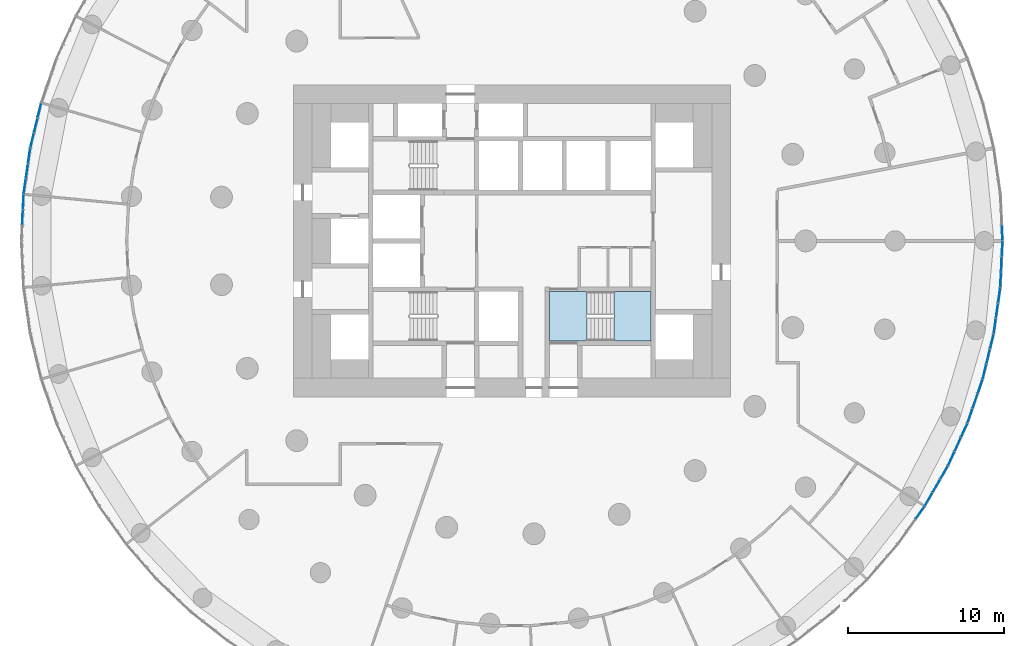
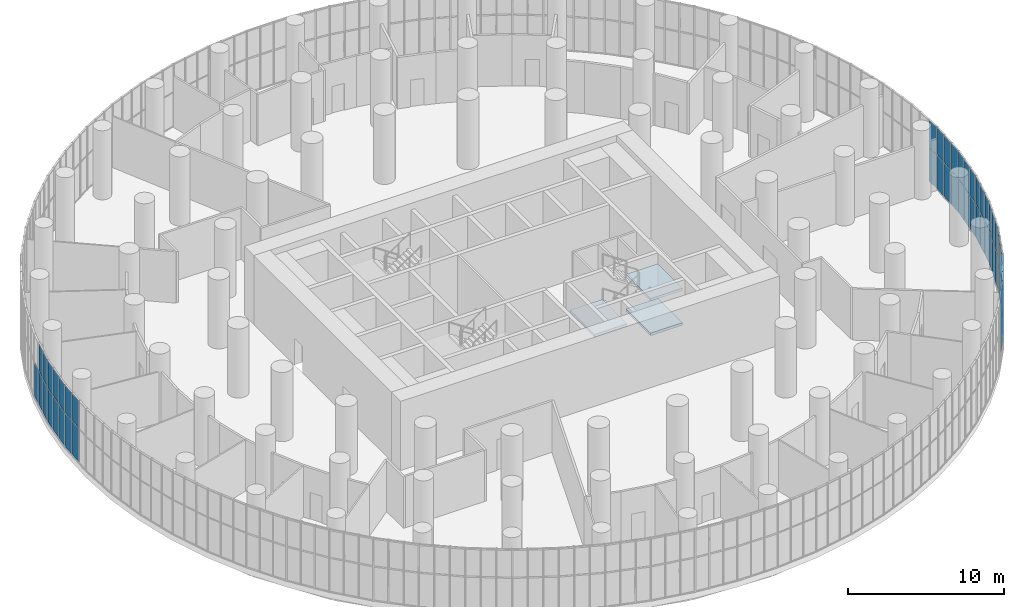
# One storey, part 16 of 27: 55 plates, 3 slabs, 12 elements without a shape of their own.
"""IFC4 building model written with IfcOpenShell, lengths in metres."""

import ifcopenshell
import ifcopenshell.guid

model = None  # the IFC model being written
_history = None  # IfcOwnerHistory: only IFC2X3 demands one
_inside = {}  # id of a spatial element -> (the spatial element, [elements in it])
_under = {}  # id of a project, library or spatial element -> (it, [spatial elements below it])
_declared = {}  # id of a project -> (the project, [libraries it declares])
_typed = {}  # id of a type object -> (the type object, [elements of that type])
_made_of = {}  # id of a material, layer set ... -> (it, [elements and type objects made of it])


def new_model(schema):
    """Start an empty IFC model of exactly this schema.

    Asked for "IFC4X3", IfcOpenShell would pick the latest addendum, in which some entities
    have other attributes; the version numbers below select the first issue.
    IFC2X3 requires an IfcOwnerHistory on every rooted entity: one is made here for all.
    """
    global model, _history
    if schema == "IFC4X3":
        model = ifcopenshell.file(schema_version=(4, 3, 0, 0))
    else:
        model = ifcopenshell.file(schema=schema)
    _inside.clear()
    _under.clear()
    _declared.clear()
    _typed.clear()
    _made_of.clear()
    _history = None
    if model.schema == "IFC2X3":
        org = make("IfcOrganization", Name="unknown")
        user = make(
            "IfcPersonAndOrganization",
            ThePerson=make("IfcPerson", FamilyName="unknown"),
            TheOrganization=org,
        )
        app = make(
            "IfcApplication",
            ApplicationDeveloper=org,
            Version="unknown",
            ApplicationFullName="unknown",
            ApplicationIdentifier="unknown",
        )
        _history = make(
            "IfcOwnerHistory",
            OwningUser=user,
            OwningApplication=app,
            ChangeAction="ADDED",
            CreationDate=0,
        )
    return model


def make(cls, **values):
    """One entity of the class cls with the attributes given. An attribute that is None is left unset."""
    return model.create_entity(
        cls, **{name: value for name, value in values.items() if value is not None}
    )


def rooted(cls, **values):
    """An entity with a GlobalId (a new one), such as an element, a storey or a relation."""
    return make(cls, GlobalId=ifcopenshell.guid.new(), OwnerHistory=_history, **values)


def si_unit(unit_type, name, prefix=None):
    """IfcSIUnit, for example si_unit("LENGTHUNIT", "METRE", prefix="MILLI")."""
    return make("IfcSIUnit", UnitType=unit_type, Prefix=prefix, Name=name)


def assignment(units):
    """IfcUnitAssignment: the units of a project."""
    return None if units is None else make("IfcUnitAssignment", Units=units)


def point(xyz):
    """IfcCartesianPoint."""
    return None if xyz is None else make("IfcCartesianPoint", Coordinates=xyz)


def direction(xyz):
    """IfcDirection."""
    return None if xyz is None else make("IfcDirection", DirectionRatios=xyz)


def frame(location, z_axis=None, x_axis=None):
    """IfcAxis2Placement3D, a coordinate frame: its origin and axes. An axis left out is left unset."""
    return make(
        "IfcAxis2Placement3D",
        Location=point(location),
        Axis=direction(z_axis),
        RefDirection=direction(x_axis),
    )


def frame_2d(location, x_axis=None):
    """IfcAxis2Placement2D, a coordinate frame in the plane: its origin and x axis."""
    return make(
        "IfcAxis2Placement2D", Location=point(location), RefDirection=direction(x_axis)
    )


def origin():
    """The frame at (0, 0, 0) with its axes left unset."""
    return frame((0.0, 0.0, 0.0))


def origin_2d():
    """The frame at (0, 0) in the plane with its x axis left unset."""
    return frame_2d((0.0, 0.0))


def place(relative_to, where):
    """IfcLocalPlacement: puts the frame where relative to a parent placement (None: the world)."""
    return make(
        "IfcLocalPlacement", PlacementRelTo=relative_to, RelativePlacement=where
    )


def context(
    kind, dimensions, precision=None, world=None, true_north=None, identifier=None
):
    """IfcGeometricRepresentationContext, for example the 3D "Model" context."""
    return make(
        "IfcGeometricRepresentationContext",
        ContextIdentifier=identifier,
        ContextType=kind,
        CoordinateSpaceDimension=dimensions,
        Precision=precision,
        WorldCoordinateSystem=world,
        TrueNorth=true_north,
    )


def subcontext(parent, identifier, kind, view, scale=None):
    """IfcGeometricRepresentationSubContext, for example "Body" below "Model"."""
    return make(
        "IfcGeometricRepresentationSubContext",
        ContextIdentifier=identifier,
        ContextType=kind,
        ParentContext=parent,
        TargetScale=scale,
        TargetView=view,
    )


def project(units=None, contexts=None):
    """IfcProject with its units and contexts."""
    return rooted(
        "IfcProject",
        Name="project",
        RepresentationContexts=contexts,
        UnitsInContext=assignment(units),
    )


def spatial(cls, under=None, at=None, **own):
    """A site, building, storey or space (cls), placed at a placement, below another one or the project."""
    s = rooted(cls, ObjectPlacement=at, **own)
    if under is not None:
        _under.setdefault(under.id(), (under, []))[1].append(s)
    return s


def polyline(points):
    """IfcPolyline through the points."""
    return make("IfcPolyline", Points=[point(p) for p in points])


def profile(cls, at=None, kind="AREA", **sizes):
    """A parametric profile (cls). Its sizes go by their IFC names, for example OverallWidth=200.0."""
    return make(cls, ProfileType=kind, Position=at, **sizes)


def rectangle(**sizes):
    """IfcRectangleProfileDef."""
    return profile("IfcRectangleProfileDef", **sizes)


def outline(outer, holes=None, kind="AREA"):
    """IfcArbitraryClosedProfileDef: a profile drawn as a closed curve; with holes, ...WithVoids."""
    if holes is None:
        return make("IfcArbitraryClosedProfileDef", ProfileType=kind, OuterCurve=outer)
    return make(
        "IfcArbitraryProfileDefWithVoids",
        ProfileType=kind,
        OuterCurve=outer,
        InnerCurves=holes,
    )


def extrude(swept, where, along, depth):
    """IfcExtrudedAreaSolid: the profile swept, set in the frame where, extruded along a direction by depth."""
    return make(
        "IfcExtrudedAreaSolid",
        SweptArea=swept,
        Position=where,
        ExtrudedDirection=direction(along),
        Depth=depth,
    )


def shape(context_of_items, identifier, shape_type, items):
    """IfcShapeRepresentation: the items that make up one representation, for example the "Body"."""
    return make(
        "IfcShapeRepresentation",
        ContextOfItems=context_of_items,
        RepresentationIdentifier=identifier,
        RepresentationType=shape_type,
        Items=items,
    )


def material(Name=None, Category=None):
    """IfcMaterial."""
    return make("IfcMaterial", Name=Name, Category=Category)


def layer(
    of_material, thickness, ventilated=None, Name=None, Category=None, Priority=None
):
    """IfcMaterialLayer: one layer of a wall or slab, of a material (None: an air gap)."""
    return make(
        "IfcMaterialLayer",
        Material=of_material,
        LayerThickness=thickness,
        IsVentilated=ventilated,
        Name=Name,
        Category=Category,
        Priority=Priority,
    )


def layer_set(layers, Name=None):
    """IfcMaterialLayerSet."""
    return make("IfcMaterialLayerSet", MaterialLayers=layers, LayerSetName=Name)


def made_of(thing, what):
    """Note that an element or type object is made of a material, layer set ...; save() writes the relation."""
    if what is not None:
        _made_of.setdefault(what.id(), (what, []))[1].append(thing)
    return thing


def type_object(cls, material=None, **own):
    """A type object (cls), such as IfcWallType, which elements share."""
    return made_of(rooted(cls, **own), material)


def element(
    cls,
    number,
    at=None,
    inside=None,
    cuts=None,
    type_object=None,
    material=None,
    context=None,
    identifier="Body",
    shape_type=None,
    held_by="IfcProductDefinitionShape",
    body=None,
    shapes=None,
    **own,
):
    """One element of the class cls, such as IfcWall. Its Tag is "e" and its number.

    at: its placement. inside: the storey or other place that contains it. cuts: it is an
    opening in that element (IfcRelVoidsElement). A single representation is given by context,
    identifier, shape_type and body (its items); several are given by shapes. held_by: the class
    of the entity that holds the representations. save() writes the other relations.
    """
    e = rooted(cls, Tag="e%d" % number, ObjectPlacement=at, **own)
    if body is not None:
        shapes = [shape(context, identifier, shape_type, body)]
    if shapes is not None:
        e.Representation = make(held_by, Representations=shapes)
    if inside is not None:
        _inside.setdefault(inside.id(), (inside, []))[1].append(e)
    if cuts is not None:
        rooted(
            "IfcRelVoidsElement", RelatingBuildingElement=cuts, RelatedOpeningElement=e
        )
    if type_object is not None:
        _typed.setdefault(type_object.id(), (type_object, []))[1].append(e)
    return made_of(e, material)


def aggregate(whole, parts):
    """IfcRelAggregates: a whole, such as a stair, and the parts it consists of."""
    return rooted("IfcRelAggregates", RelatingObject=whole, RelatedObjects=parts)


def save(model, path):
    """Write the relations noted so far, then the file.

    IfcRelAggregates (storeys below a building ...), IfcRelContainedInSpatialStructure (elements
    in a storey), IfcRelDefinesByType, IfcRelAssociatesMaterial and IfcRelDeclares: one each for
    every whole, place, type object, material and project.
    """
    for whole, parts in _under.values():
        aggregate(whole, parts)
    for where, things in _inside.values():
        rooted(
            "IfcRelContainedInSpatialStructure",
            RelatedElements=things,
            RelatingStructure=where,
        )
    for kind, things in _typed.values():
        rooted("IfcRelDefinesByType", RelatedObjects=things, RelatingType=kind)
    for what, things in _made_of.values():
        rooted("IfcRelAssociatesMaterial", RelatedObjects=things, RelatingMaterial=what)
    for by, libraries in _declared.values():
        rooted("IfcRelDeclares", RelatingContext=by, RelatedDefinitions=libraries)
    model.write(path)


model = new_model("IFC4")

# Units and contexts
model_context = context("Model", 3, precision=1e-05, world=origin(), true_north=direction((0.0, 1.0)))
body_context = subcontext(model_context, "Body", "Model", "MODEL_VIEW")
ifc_project = project(units=[si_unit("LENGTHUNIT", "METRE"), si_unit("AREAUNIT", "SQUARE_METRE"), si_unit("VOLUMEUNIT", "CUBIC_METRE"), si_unit("PLANEANGLEUNIT", "RADIAN"), si_unit("MASSUNIT", "GRAM", prefix="KILO")], contexts=[model_context])

# Site, building, storey
site_placement = place(None, origin())
site = spatial("IfcSite", under=ifc_project, at=site_placement, CompositionType="ELEMENT")
building_placement = place(site_placement, origin())
building = spatial("IfcBuilding", under=site, at=building_placement, Name="Tracery Tower", CompositionType="ELEMENT")
storey_placement = place(building_placement, frame((0.0, 0.0, 114.60009765625)))
storey = spatial("IfcBuildingStorey", under=building, at=storey_placement, Name="L29", CompositionType="ELEMENT", Elevation=114.60009765625)

# Curtain wall, plates
ifc_material_1 = material(Name="Aluminium curtain wall with tinted glass", Category="aluminium")
ifc_layer_1 = layer(ifc_material_1, 0.179931640625)
ifc_layer_set_1 = layer_set([ifc_layer_1], Name="Sky lounge 1 tracery curtain wall")
curtain_wall_type = type_object("IfcCurtainWallType", Name="Sky lounge 1 tracery curtain wall", PredefinedType="NOTDEFINED", material=ifc_layer_set_1)
curtain_wall_1_placement = place(storey_placement, origin())
curtain_wall_1 = element("IfcCurtainWall", 1, at=curtain_wall_1_placement, inside=storey, type_object=curtain_wall_type, Name="Sky lounge 1 curtain wall run 1", PredefinedType="NOTDEFINED")
ifc_material_2 = material(Name="Tinted laminated glass", Category="glass")
ifc_layer_2 = layer(ifc_material_2, 0.031982421875)
ifc_layer_set_2 = layer_set([ifc_layer_2], Name="Sky lounge 1 glass panel 32")
plate_type = type_object("IfcPlateType", Name="Sky lounge 1 glass panel 32", PredefinedType="CURTAIN_PANEL", material=ifc_layer_set_2)
plate_1_placement = place(storey_placement, frame((31.410888671875, 0.498046875, 0.06005859375), z_axis=(0.0, 0.0, 1.0), x_axis=(-0.047581915819, 0.998867339183, 0.0)))
plate_1 = element("IfcPlate", 2, at=plate_1_placement, type_object=plate_type, Name="Sky lounge 1 curtain wall run 1 glass panel 1", PredefinedType="CURTAIN_PANEL", context=body_context, shape_type="SweptSolid", body=[
    extrude(rectangle(XDim=0.937255859375, YDim=0.031982421875, at=origin_2d()), origin(), (0.0, 0.0, 1.0), 2.610107421875),
])
plate_2_placement = place(storey_placement, frame((31.410888671875, 0.498046875, 2.72998046875), z_axis=(0.0, 0.0, 1.0), x_axis=(-0.047581915819, 0.998867339183, 0.0)))
plate_2 = element("IfcPlate", 3, at=plate_2_placement, type_object=plate_type, Name="Sky lounge 1 curtain wall run 1 glass panel 2", PredefinedType="CURTAIN_PANEL", context=body_context, shape_type="SweptSolid", body=[
    extrude(rectangle(XDim=0.937255859375, YDim=0.031982421875, at=origin_2d()), origin(), (0.0, 0.0, 1.0), 2.110107421875),
])
aggregate(curtain_wall_1, [plate_1, plate_2])

curtain_wall_2_placement = place(storey_placement, origin())
curtain_wall_2 = element("IfcCurtainWall", 4, at=curtain_wall_2_placement, inside=storey, type_object=curtain_wall_type, Name="Sky lounge 1 curtain wall run 31", PredefinedType="NOTDEFINED")
plate_3_placement = place(storey_placement, frame((-30.27880859375, 8.37158203125, 0.06005859375), z_axis=(0.0, 0.0, 1.0), x_axis=(-0.235758935503, -0.971811568325, 0.0)))
plate_3 = element("IfcPlate", 5, at=plate_3_placement, type_object=plate_type, Name="Sky lounge 1 curtain wall run 31 glass panel 1", PredefinedType="CURTAIN_PANEL", context=body_context, shape_type="SweptSolid", body=[
    extrude(rectangle(XDim=0.937255859375, YDim=0.031982421875, at=origin_2d()), origin(), (0.0, 0.0, 1.0), 2.610107421875),
])
plate_4_placement = place(storey_placement, frame((-30.513916015625, 7.402587890625, 0.06005859375), z_axis=(0.0, 0.0, 1.0), x_axis=(-0.235758935503, -0.971811568325, 0.0)))
plate_4 = element("IfcPlate", 6, at=plate_4_placement, type_object=plate_type, Name="Sky lounge 1 curtain wall run 31 glass panel 3", PredefinedType="CURTAIN_PANEL", context=body_context, shape_type="SweptSolid", body=[
    extrude(rectangle(XDim=0.937255859375, YDim=0.031982421875, at=origin_2d()), origin(), (0.0, 0.0, 1.0), 2.610107421875),
])
plate_5_placement = place(storey_placement, frame((-30.513916015625, 7.402587890625, 2.72998046875), z_axis=(0.0, 0.0, 1.0), x_axis=(-0.235758935503, -0.971811568325, 0.0)))
plate_5 = element("IfcPlate", 7, at=plate_5_placement, type_object=plate_type, Name="Sky lounge 1 curtain wall run 31 glass panel 4", PredefinedType="CURTAIN_PANEL", context=body_context, shape_type="SweptSolid", body=[
    extrude(rectangle(XDim=0.937255859375, YDim=0.031982421875, at=origin_2d()), origin(), (0.0, 0.0, 1.0), 2.110107421875),
])
plate_6_placement = place(storey_placement, frame((-30.748779296875, 6.43359375, 0.06005859375), z_axis=(0.0, 0.0, 1.0), x_axis=(-0.235758935503, -0.971811568325, 0.0)))
plate_6 = element("IfcPlate", 8, at=plate_6_placement, type_object=plate_type, Name="Sky lounge 1 curtain wall run 31 glass panel 5", PredefinedType="CURTAIN_PANEL", context=body_context, shape_type="SweptSolid", body=[
    extrude(rectangle(XDim=0.937255859375, YDim=0.031982421875, at=origin_2d()), origin(), (0.0, 0.0, 1.0), 2.610107421875),
])
plate_7_placement = place(storey_placement, frame((-30.748779296875, 6.43359375, 2.72998046875), z_axis=(0.0, 0.0, 1.0), x_axis=(-0.235758935503, -0.971811568325, 0.0)))
plate_7 = element("IfcPlate", 9, at=plate_7_placement, type_object=plate_type, Name="Sky lounge 1 curtain wall run 31 glass panel 6", PredefinedType="CURTAIN_PANEL", context=body_context, shape_type="SweptSolid", body=[
    extrude(rectangle(XDim=0.937255859375, YDim=0.031982421875, at=origin_2d()), origin(), (0.0, 0.0, 1.0), 2.110107421875),
])
aggregate(curtain_wall_2, [plate_3, plate_4, plate_5, plate_6, plate_7])

curtain_wall_3_placement = place(storey_placement, origin())
curtain_wall_3 = element("IfcCurtainWall", 10, at=curtain_wall_3_placement, inside=storey, type_object=curtain_wall_type, Name="Sky lounge 1 curtain wall run 32", PredefinedType="NOTDEFINED")
plate_8_placement = place(storey_placement, frame((-30.9375, 5.45556640625, 0.06005859375), z_axis=(0.0, 0.0, 1.0), x_axis=(-0.142314838276, -0.98982144188, 0.0)))
plate_8 = element("IfcPlate", 11, at=plate_8_placement, type_object=plate_type, Name="Sky lounge 1 curtain wall run 32 glass panel 1", PredefinedType="CURTAIN_PANEL", context=body_context, shape_type="SweptSolid", body=[
    extrude(rectangle(XDim=0.937255859375, YDim=0.031982421875, at=origin_2d()), origin(), (0.0, 0.0, 1.0), 2.610107421875),
])
plate_9_placement = place(storey_placement, frame((-30.9375, 5.45556640625, 2.72998046875), z_axis=(0.0, 0.0, 1.0), x_axis=(-0.142314838276, -0.98982144188, 0.0)))
plate_9 = element("IfcPlate", 12, at=plate_9_placement, type_object=plate_type, Name="Sky lounge 1 curtain wall run 32 glass panel 2", PredefinedType="CURTAIN_PANEL", context=body_context, shape_type="SweptSolid", body=[
    extrude(rectangle(XDim=0.937255859375, YDim=0.031982421875, at=origin_2d()), origin(), (0.0, 0.0, 1.0), 2.110107421875),
])
plate_10_placement = place(storey_placement, frame((-31.079345703125, 4.468505859375, 0.06005859375), z_axis=(0.0, 0.0, 1.0), x_axis=(-0.142314838276, -0.98982144188, 0.0)))
plate_10 = element("IfcPlate", 13, at=plate_10_placement, type_object=plate_type, Name="Sky lounge 1 curtain wall run 32 glass panel 3", PredefinedType="CURTAIN_PANEL", context=body_context, shape_type="SweptSolid", body=[
    extrude(rectangle(XDim=0.937255859375, YDim=0.031982421875, at=origin_2d()), origin(), (0.0, 0.0, 1.0), 2.610107421875),
])
plate_11_placement = place(storey_placement, frame((-31.079345703125, 4.468505859375, 2.72998046875), z_axis=(0.0, 0.0, 1.0), x_axis=(-0.142314838276, -0.98982144188, 0.0)))
plate_11 = element("IfcPlate", 14, at=plate_11_placement, type_object=plate_type, Name="Sky lounge 1 curtain wall run 32 glass panel 4", PredefinedType="CURTAIN_PANEL", context=body_context, shape_type="SweptSolid", body=[
    extrude(rectangle(XDim=0.937255859375, YDim=0.031982421875, at=origin_2d()), origin(), (0.0, 0.0, 1.0), 2.110107421875),
])
plate_12_placement = place(storey_placement, frame((-31.22119140625, 3.4814453125, 0.06005859375), z_axis=(0.0, 0.0, 1.0), x_axis=(-0.142314838276, -0.98982144188, 0.0)))
plate_12 = element("IfcPlate", 15, at=plate_12_placement, type_object=plate_type, Name="Sky lounge 1 curtain wall run 32 glass panel 5", PredefinedType="CURTAIN_PANEL", context=body_context, shape_type="SweptSolid", body=[
    extrude(rectangle(XDim=0.937255859375, YDim=0.031982421875, at=origin_2d()), origin(), (0.0, 0.0, 1.0), 2.610107421875),
])
plate_13_placement = place(storey_placement, frame((-31.22119140625, 3.4814453125, 2.72998046875), z_axis=(0.0, 0.0, 1.0), x_axis=(-0.142314838276, -0.98982144188, 0.0)))
plate_13 = element("IfcPlate", 16, at=plate_13_placement, type_object=plate_type, Name="Sky lounge 1 curtain wall run 32 glass panel 6", PredefinedType="CURTAIN_PANEL", context=body_context, shape_type="SweptSolid", body=[
    extrude(rectangle(XDim=0.937255859375, YDim=0.031982421875, at=origin_2d()), origin(), (0.0, 0.0, 1.0), 2.110107421875),
])
aggregate(curtain_wall_3, [plate_8, plate_9, plate_10, plate_11, plate_12, plate_13])

curtain_wall_4_placement = place(storey_placement, origin())
curtain_wall_4 = element("IfcCurtainWall", 17, at=curtain_wall_4_placement, inside=storey, type_object=curtain_wall_type, Name="Sky lounge 1 curtain wall run 33", PredefinedType="NOTDEFINED")
plate_14_placement = place(storey_placement, frame((-31.31591796875, 2.489990234375, 0.06005859375), z_axis=(0.0, 0.0, 1.0), x_axis=(-0.047581915819, -0.998867339183, 0.0)))
plate_14 = element("IfcPlate", 18, at=plate_14_placement, type_object=plate_type, Name="Sky lounge 1 curtain wall run 33 glass panel 1", PredefinedType="CURTAIN_PANEL", context=body_context, shape_type="SweptSolid", body=[
    extrude(rectangle(XDim=0.937255859375, YDim=0.031982421875, at=origin_2d()), origin(), (0.0, 0.0, 1.0), 2.610107421875),
])
plate_15_placement = place(storey_placement, frame((-31.31591796875, 2.489990234375, 2.72998046875), z_axis=(0.0, 0.0, 1.0), x_axis=(-0.047581915819, -0.998867339183, 0.0)))
plate_15 = element("IfcPlate", 19, at=plate_15_placement, type_object=plate_type, Name="Sky lounge 1 curtain wall run 33 glass panel 2", PredefinedType="CURTAIN_PANEL", context=body_context, shape_type="SweptSolid", body=[
    extrude(rectangle(XDim=0.937255859375, YDim=0.031982421875, at=origin_2d()), origin(), (0.0, 0.0, 1.0), 2.110107421875),
])
plate_16_placement = place(storey_placement, frame((-31.36328125, 1.494140625, 0.06005859375), z_axis=(0.0, 0.0, 1.0), x_axis=(-0.047581915819, -0.998867339183, 0.0)))
plate_16 = element("IfcPlate", 20, at=plate_16_placement, type_object=plate_type, Name="Sky lounge 1 curtain wall run 33 glass panel 3", PredefinedType="CURTAIN_PANEL", context=body_context, shape_type="SweptSolid", body=[
    extrude(rectangle(XDim=0.937255859375, YDim=0.031982421875, at=origin_2d()), origin(), (0.0, 0.0, 1.0), 2.610107421875),
])
plate_17_placement = place(storey_placement, frame((-31.36328125, 1.494140625, 2.72998046875), z_axis=(0.0, 0.0, 1.0), x_axis=(-0.047581915819, -0.998867339183, 0.0)))
plate_17 = element("IfcPlate", 21, at=plate_17_placement, type_object=plate_type, Name="Sky lounge 1 curtain wall run 33 glass panel 4", PredefinedType="CURTAIN_PANEL", context=body_context, shape_type="SweptSolid", body=[
    extrude(rectangle(XDim=0.937255859375, YDim=0.031982421875, at=origin_2d()), origin(), (0.0, 0.0, 1.0), 2.110107421875),
])
aggregate(curtain_wall_4, [plate_14, plate_15, plate_16, plate_17])

curtain_wall_5_placement = place(storey_placement, origin())
curtain_wall_5 = element("IfcCurtainWall", 22, at=curtain_wall_5_placement, inside=storey, type_object=curtain_wall_type, Name="Sky lounge 1 curtain wall run 60", PredefinedType="NOTDEFINED")
plate_18_placement = place(storey_placement, frame((26.1552734375, -17.40087890625, 0.06005859375), z_axis=(0.0, 0.0, 1.0), x_axis=(0.580056909578, 0.814575952046, 0.0)))
plate_18 = element("IfcPlate", 23, at=plate_18_placement, type_object=plate_type, Name="Sky lounge 1 curtain wall run 60 glass panel 5", PredefinedType="CURTAIN_PANEL", context=body_context, shape_type="SweptSolid", body=[
    extrude(rectangle(XDim=0.937255859375, YDim=0.031982421875, at=origin_2d()), origin(), (0.0, 0.0, 1.0), 2.610107421875),
])
plate_19_placement = place(storey_placement, frame((26.1552734375, -17.40087890625, 2.72998046875), z_axis=(0.0, 0.0, 1.0), x_axis=(0.580056909578, 0.814575952046, 0.0)))
plate_19 = element("IfcPlate", 24, at=plate_19_placement, type_object=plate_type, Name="Sky lounge 1 curtain wall run 60 glass panel 6", PredefinedType="CURTAIN_PANEL", context=body_context, shape_type="SweptSolid", body=[
    extrude(rectangle(XDim=0.937255859375, YDim=0.031982421875, at=origin_2d()), origin(), (0.0, 0.0, 1.0), 2.110107421875),
])
aggregate(curtain_wall_5, [plate_18, plate_19])

curtain_wall_6_placement = place(storey_placement, origin())
curtain_wall_6 = element("IfcCurtainWall", 25, at=curtain_wall_6_placement, inside=storey, type_object=curtain_wall_type, Name="Sky lounge 1 curtain wall run 61", PredefinedType="NOTDEFINED")
plate_20_placement = place(storey_placement, frame((26.693603515625, -16.56298828125, 0.06005859375), z_axis=(0.0, 0.0, 1.0), x_axis=(0.5, 0.866025403784, 0.0)))
plate_20 = element("IfcPlate", 26, at=plate_20_placement, type_object=plate_type, Name="Sky lounge 1 curtain wall run 61 glass panel 1", PredefinedType="CURTAIN_PANEL", context=body_context, shape_type="SweptSolid", body=[
    extrude(rectangle(XDim=0.937255859375, YDim=0.031982421875, at=origin_2d()), origin(), (0.0, 0.0, 1.0), 2.610107421875),
])
plate_21_placement = place(storey_placement, frame((26.693603515625, -16.56298828125, 2.72998046875), z_axis=(0.0, 0.0, 1.0), x_axis=(0.5, 0.866025403784, 0.0)))
plate_21 = element("IfcPlate", 27, at=plate_21_placement, type_object=plate_type, Name="Sky lounge 1 curtain wall run 61 glass panel 2", PredefinedType="CURTAIN_PANEL", context=body_context, shape_type="SweptSolid", body=[
    extrude(rectangle(XDim=0.937255859375, YDim=0.031982421875, at=origin_2d()), origin(), (0.0, 0.0, 1.0), 2.110107421875),
])
plate_22_placement = place(storey_placement, frame((27.192138671875, -15.699462890625, 0.06005859375), z_axis=(0.0, 0.0, 1.0), x_axis=(0.5, 0.866025403784, 0.0)))
plate_22 = element("IfcPlate", 28, at=plate_22_placement, type_object=plate_type, Name="Sky lounge 1 curtain wall run 61 glass panel 3", PredefinedType="CURTAIN_PANEL", context=body_context, shape_type="SweptSolid", body=[
    extrude(rectangle(XDim=0.937255859375, YDim=0.031982421875, at=origin_2d()), origin(), (0.0, 0.0, 1.0), 2.610107421875),
])
plate_23_placement = place(storey_placement, frame((27.192138671875, -15.699462890625, 2.72998046875), z_axis=(0.0, 0.0, 1.0), x_axis=(0.5, 0.866025403784, 0.0)))
plate_23 = element("IfcPlate", 29, at=plate_23_placement, type_object=plate_type, Name="Sky lounge 1 curtain wall run 61 glass panel 4", PredefinedType="CURTAIN_PANEL", context=body_context, shape_type="SweptSolid", body=[
    extrude(rectangle(XDim=0.937255859375, YDim=0.031982421875, at=origin_2d()), origin(), (0.0, 0.0, 1.0), 2.110107421875),
])
plate_24_placement = place(storey_placement, frame((27.69091796875, -14.8359375, 0.06005859375), z_axis=(0.0, 0.0, 1.0), x_axis=(0.5, 0.866025403784, 0.0)))
plate_24 = element("IfcPlate", 30, at=plate_24_placement, type_object=plate_type, Name="Sky lounge 1 curtain wall run 61 glass panel 5", PredefinedType="CURTAIN_PANEL", context=body_context, shape_type="SweptSolid", body=[
    extrude(rectangle(XDim=0.937255859375, YDim=0.031982421875, at=origin_2d()), origin(), (0.0, 0.0, 1.0), 2.610107421875),
])
plate_25_placement = place(storey_placement, frame((27.69091796875, -14.8359375, 2.72998046875), z_axis=(0.0, 0.0, 1.0), x_axis=(0.5, 0.866025403784, 0.0)))
plate_25 = element("IfcPlate", 31, at=plate_25_placement, type_object=plate_type, Name="Sky lounge 1 curtain wall run 61 glass panel 6", PredefinedType="CURTAIN_PANEL", context=body_context, shape_type="SweptSolid", body=[
    extrude(rectangle(XDim=0.937255859375, YDim=0.031982421875, at=origin_2d()), origin(), (0.0, 0.0, 1.0), 2.110107421875),
])
aggregate(curtain_wall_6, [plate_20, plate_21, plate_22, plate_23, plate_24, plate_25])

curtain_wall_7_placement = place(storey_placement, origin())
curtain_wall_7 = element("IfcCurtainWall", 32, at=curtain_wall_7_placement, inside=storey, type_object=curtain_wall_type, Name="Sky lounge 1 curtain wall run 62", PredefinedType="NOTDEFINED")
plate_26_placement = place(storey_placement, frame((28.147216796875, -13.95068359375, 0.06005859375), z_axis=(0.0, 0.0, 1.0), x_axis=(0.415415012995, 0.909631995358, 0.0)))
plate_26 = element("IfcPlate", 33, at=plate_26_placement, type_object=plate_type, Name="Sky lounge 1 curtain wall run 62 glass panel 1", PredefinedType="CURTAIN_PANEL", context=body_context, shape_type="SweptSolid", body=[
    extrude(rectangle(XDim=0.937255859375, YDim=0.031982421875, at=origin_2d()), origin(), (0.0, 0.0, 1.0), 2.610107421875),
])
plate_27_placement = place(storey_placement, frame((28.147216796875, -13.95068359375, 2.72998046875), z_axis=(0.0, 0.0, 1.0), x_axis=(0.415415012995, 0.909631995358, 0.0)))
plate_27 = element("IfcPlate", 34, at=plate_27_placement, type_object=plate_type, Name="Sky lounge 1 curtain wall run 62 glass panel 2", PredefinedType="CURTAIN_PANEL", context=body_context, shape_type="SweptSolid", body=[
    extrude(rectangle(XDim=0.937255859375, YDim=0.031982421875, at=origin_2d()), origin(), (0.0, 0.0, 1.0), 2.110107421875),
])
plate_28_placement = place(storey_placement, frame((28.5615234375, -13.04345703125, 0.06005859375), z_axis=(0.0, 0.0, 1.0), x_axis=(0.415415012995, 0.909631995358, 0.0)))
plate_28 = element("IfcPlate", 35, at=plate_28_placement, type_object=plate_type, Name="Sky lounge 1 curtain wall run 62 glass panel 3", PredefinedType="CURTAIN_PANEL", context=body_context, shape_type="SweptSolid", body=[
    extrude(rectangle(XDim=0.937255859375, YDim=0.031982421875, at=origin_2d()), origin(), (0.0, 0.0, 1.0), 2.610107421875),
])
plate_29_placement = place(storey_placement, frame((28.5615234375, -13.04345703125, 2.72998046875), z_axis=(0.0, 0.0, 1.0), x_axis=(0.415415012995, 0.909631995358, 0.0)))
plate_29 = element("IfcPlate", 36, at=plate_29_placement, type_object=plate_type, Name="Sky lounge 1 curtain wall run 62 glass panel 4", PredefinedType="CURTAIN_PANEL", context=body_context, shape_type="SweptSolid", body=[
    extrude(rectangle(XDim=0.937255859375, YDim=0.031982421875, at=origin_2d()), origin(), (0.0, 0.0, 1.0), 2.110107421875),
])
plate_30_placement = place(storey_placement, frame((28.9755859375, -12.136474609375, 0.06005859375), z_axis=(0.0, 0.0, 1.0), x_axis=(0.415415012995, 0.909631995358, 0.0)))
plate_30 = element("IfcPlate", 37, at=plate_30_placement, type_object=plate_type, Name="Sky lounge 1 curtain wall run 62 glass panel 5", PredefinedType="CURTAIN_PANEL", context=body_context, shape_type="SweptSolid", body=[
    extrude(rectangle(XDim=0.937255859375, YDim=0.031982421875, at=origin_2d()), origin(), (0.0, 0.0, 1.0), 2.610107421875),
])
plate_31_placement = place(storey_placement, frame((28.9755859375, -12.136474609375, 2.72998046875), z_axis=(0.0, 0.0, 1.0), x_axis=(0.415415012995, 0.909631995358, 0.0)))
plate_31 = element("IfcPlate", 38, at=plate_31_placement, type_object=plate_type, Name="Sky lounge 1 curtain wall run 62 glass panel 6", PredefinedType="CURTAIN_PANEL", context=body_context, shape_type="SweptSolid", body=[
    extrude(rectangle(XDim=0.937255859375, YDim=0.031982421875, at=origin_2d()), origin(), (0.0, 0.0, 1.0), 2.110107421875),
])
aggregate(curtain_wall_7, [plate_26, plate_27, plate_28, plate_29, plate_30, plate_31])

curtain_wall_8_placement = place(storey_placement, origin())
curtain_wall_8 = element("IfcCurtainWall", 39, at=curtain_wall_8_placement, inside=storey, type_object=curtain_wall_type, Name="Sky lounge 1 curtain wall run 63", PredefinedType="NOTDEFINED")
plate_32_placement = place(storey_placement, frame((29.345947265625, -11.2119140625, 0.06005859375), z_axis=(0.0, 0.0, 1.0), x_axis=(0.327067963319, 0.945000818714, 0.0)))
plate_32 = element("IfcPlate", 40, at=plate_32_placement, type_object=plate_type, Name="Sky lounge 1 curtain wall run 63 glass panel 1", PredefinedType="CURTAIN_PANEL", context=body_context, shape_type="SweptSolid", body=[
    extrude(rectangle(XDim=0.937255859375, YDim=0.031982421875, at=origin_2d()), origin(), (0.0, 0.0, 1.0), 2.610107421875),
])
plate_33_placement = place(storey_placement, frame((29.345947265625, -11.2119140625, 2.72998046875), z_axis=(0.0, 0.0, 1.0), x_axis=(0.327067963319, 0.945000818714, 0.0)))
plate_33 = element("IfcPlate", 41, at=plate_33_placement, type_object=plate_type, Name="Sky lounge 1 curtain wall run 63 glass panel 2", PredefinedType="CURTAIN_PANEL", context=body_context, shape_type="SweptSolid", body=[
    extrude(rectangle(XDim=0.937255859375, YDim=0.031982421875, at=origin_2d()), origin(), (0.0, 0.0, 1.0), 2.110107421875),
])
plate_34_placement = place(storey_placement, frame((29.671875, -10.26953125, 0.06005859375), z_axis=(0.0, 0.0, 1.0), x_axis=(0.327067963319, 0.945000818714, 0.0)))
plate_34 = element("IfcPlate", 42, at=plate_34_placement, type_object=plate_type, Name="Sky lounge 1 curtain wall run 63 glass panel 3", PredefinedType="CURTAIN_PANEL", context=body_context, shape_type="SweptSolid", body=[
    extrude(rectangle(XDim=0.937255859375, YDim=0.031982421875, at=origin_2d()), origin(), (0.0, 0.0, 1.0), 2.610107421875),
])
plate_35_placement = place(storey_placement, frame((29.671875, -10.26953125, 2.72998046875), z_axis=(0.0, 0.0, 1.0), x_axis=(0.327067963319, 0.945000818714, 0.0)))
plate_35 = element("IfcPlate", 43, at=plate_35_placement, type_object=plate_type, Name="Sky lounge 1 curtain wall run 63 glass panel 4", PredefinedType="CURTAIN_PANEL", context=body_context, shape_type="SweptSolid", body=[
    extrude(rectangle(XDim=0.937255859375, YDim=0.031982421875, at=origin_2d()), origin(), (0.0, 0.0, 1.0), 2.110107421875),
])
plate_36_placement = place(storey_placement, frame((29.998046875, -9.327392578125, 0.06005859375), z_axis=(0.0, 0.0, 1.0), x_axis=(0.327067963319, 0.945000818714, 0.0)))
plate_36 = element("IfcPlate", 44, at=plate_36_placement, type_object=plate_type, Name="Sky lounge 1 curtain wall run 63 glass panel 5", PredefinedType="CURTAIN_PANEL", context=body_context, shape_type="SweptSolid", body=[
    extrude(rectangle(XDim=0.937255859375, YDim=0.031982421875, at=origin_2d()), origin(), (0.0, 0.0, 1.0), 2.610107421875),
])
plate_37_placement = place(storey_placement, frame((29.998046875, -9.327392578125, 2.72998046875), z_axis=(0.0, 0.0, 1.0), x_axis=(0.327067963319, 0.945000818714, 0.0)))
plate_37 = element("IfcPlate", 45, at=plate_37_placement, type_object=plate_type, Name="Sky lounge 1 curtain wall run 63 glass panel 6", PredefinedType="CURTAIN_PANEL", context=body_context, shape_type="SweptSolid", body=[
    extrude(rectangle(XDim=0.937255859375, YDim=0.031982421875, at=origin_2d()), origin(), (0.0, 0.0, 1.0), 2.110107421875),
])
aggregate(curtain_wall_8, [plate_32, plate_33, plate_34, plate_35, plate_36, plate_37])

curtain_wall_9_placement = place(storey_placement, origin())
curtain_wall_9 = element("IfcCurtainWall", 46, at=curtain_wall_9_placement, inside=storey, type_object=curtain_wall_type, Name="Sky lounge 1 curtain wall run 64", PredefinedType="NOTDEFINED")
plate_38_placement = place(storey_placement, frame((30.27880859375, -8.37158203125, 0.06005859375), z_axis=(0.0, 0.0, 1.0), x_axis=(0.235758935503, 0.971811568325, 0.0)))
plate_38 = element("IfcPlate", 47, at=plate_38_placement, type_object=plate_type, Name="Sky lounge 1 curtain wall run 64 glass panel 1", PredefinedType="CURTAIN_PANEL", context=body_context, shape_type="SweptSolid", body=[
    extrude(rectangle(XDim=0.937255859375, YDim=0.031982421875, at=origin_2d()), origin(), (0.0, 0.0, 1.0), 2.610107421875),
])
plate_39_placement = place(storey_placement, frame((30.27880859375, -8.37158203125, 2.72998046875), z_axis=(0.0, 0.0, 1.0), x_axis=(0.235758935503, 0.971811568325, 0.0)))
plate_39 = element("IfcPlate", 48, at=plate_39_placement, type_object=plate_type, Name="Sky lounge 1 curtain wall run 64 glass panel 2", PredefinedType="CURTAIN_PANEL", context=body_context, shape_type="SweptSolid", body=[
    extrude(rectangle(XDim=0.937255859375, YDim=0.031982421875, at=origin_2d()), origin(), (0.0, 0.0, 1.0), 2.110107421875),
])
plate_40_placement = place(storey_placement, frame((30.513916015625, -7.402587890625, 0.06005859375), z_axis=(0.0, 0.0, 1.0), x_axis=(0.235758935503, 0.971811568325, 0.0)))
plate_40 = element("IfcPlate", 49, at=plate_40_placement, type_object=plate_type, Name="Sky lounge 1 curtain wall run 64 glass panel 3", PredefinedType="CURTAIN_PANEL", context=body_context, shape_type="SweptSolid", body=[
    extrude(rectangle(XDim=0.937255859375, YDim=0.031982421875, at=origin_2d()), origin(), (0.0, 0.0, 1.0), 2.610107421875),
])
plate_41_placement = place(storey_placement, frame((30.513916015625, -7.402587890625, 2.72998046875), z_axis=(0.0, 0.0, 1.0), x_axis=(0.235758935503, 0.971811568325, 0.0)))
plate_41 = element("IfcPlate", 50, at=plate_41_placement, type_object=plate_type, Name="Sky lounge 1 curtain wall run 64 glass panel 4", PredefinedType="CURTAIN_PANEL", context=body_context, shape_type="SweptSolid", body=[
    extrude(rectangle(XDim=0.937255859375, YDim=0.031982421875, at=origin_2d()), origin(), (0.0, 0.0, 1.0), 2.110107421875),
])
plate_42_placement = place(storey_placement, frame((30.748779296875, -6.43359375, 0.06005859375), z_axis=(0.0, 0.0, 1.0), x_axis=(0.235758935503, 0.971811568325, 0.0)))
plate_42 = element("IfcPlate", 51, at=plate_42_placement, type_object=plate_type, Name="Sky lounge 1 curtain wall run 64 glass panel 5", PredefinedType="CURTAIN_PANEL", context=body_context, shape_type="SweptSolid", body=[
    extrude(rectangle(XDim=0.937255859375, YDim=0.031982421875, at=origin_2d()), origin(), (0.0, 0.0, 1.0), 2.610107421875),
])
plate_43_placement = place(storey_placement, frame((30.748779296875, -6.43359375, 2.72998046875), z_axis=(0.0, 0.0, 1.0), x_axis=(0.235758935503, 0.971811568325, 0.0)))
plate_43 = element("IfcPlate", 52, at=plate_43_placement, type_object=plate_type, Name="Sky lounge 1 curtain wall run 64 glass panel 6", PredefinedType="CURTAIN_PANEL", context=body_context, shape_type="SweptSolid", body=[
    extrude(rectangle(XDim=0.937255859375, YDim=0.031982421875, at=origin_2d()), origin(), (0.0, 0.0, 1.0), 2.110107421875),
])
aggregate(curtain_wall_9, [plate_38, plate_39, plate_40, plate_41, plate_42, plate_43])

curtain_wall_10_placement = place(storey_placement, origin())
curtain_wall_10 = element("IfcCurtainWall", 53, at=curtain_wall_10_placement, inside=storey, type_object=curtain_wall_type, Name="Sky lounge 1 curtain wall run 65", PredefinedType="NOTDEFINED")
plate_44_placement = place(storey_placement, frame((30.9375, -5.45556640625, 0.06005859375), z_axis=(0.0, 0.0, 1.0), x_axis=(0.142314838276, 0.98982144188, 0.0)))
plate_44 = element("IfcPlate", 54, at=plate_44_placement, type_object=plate_type, Name="Sky lounge 1 curtain wall run 65 glass panel 1", PredefinedType="CURTAIN_PANEL", context=body_context, shape_type="SweptSolid", body=[
    extrude(rectangle(XDim=0.937255859375, YDim=0.031982421875, at=origin_2d()), origin(), (0.0, 0.0, 1.0), 2.610107421875),
])
plate_45_placement = place(storey_placement, frame((30.9375, -5.45556640625, 2.72998046875), z_axis=(0.0, 0.0, 1.0), x_axis=(0.142314838276, 0.98982144188, 0.0)))
plate_45 = element("IfcPlate", 55, at=plate_45_placement, type_object=plate_type, Name="Sky lounge 1 curtain wall run 65 glass panel 2", PredefinedType="CURTAIN_PANEL", context=body_context, shape_type="SweptSolid", body=[
    extrude(rectangle(XDim=0.937255859375, YDim=0.031982421875, at=origin_2d()), origin(), (0.0, 0.0, 1.0), 2.110107421875),
])
plate_46_placement = place(storey_placement, frame((31.079345703125, -4.468505859375, 0.06005859375), z_axis=(0.0, 0.0, 1.0), x_axis=(0.142314838276, 0.98982144188, 0.0)))
plate_46 = element("IfcPlate", 56, at=plate_46_placement, type_object=plate_type, Name="Sky lounge 1 curtain wall run 65 glass panel 3", PredefinedType="CURTAIN_PANEL", context=body_context, shape_type="SweptSolid", body=[
    extrude(rectangle(XDim=0.937255859375, YDim=0.031982421875, at=origin_2d()), origin(), (0.0, 0.0, 1.0), 2.610107421875),
])
plate_47_placement = place(storey_placement, frame((31.079345703125, -4.468505859375, 2.72998046875), z_axis=(0.0, 0.0, 1.0), x_axis=(0.142314838276, 0.98982144188, 0.0)))
plate_47 = element("IfcPlate", 57, at=plate_47_placement, type_object=plate_type, Name="Sky lounge 1 curtain wall run 65 glass panel 4", PredefinedType="CURTAIN_PANEL", context=body_context, shape_type="SweptSolid", body=[
    extrude(rectangle(XDim=0.937255859375, YDim=0.031982421875, at=origin_2d()), origin(), (0.0, 0.0, 1.0), 2.110107421875),
])
plate_48_placement = place(storey_placement, frame((31.22119140625, -3.4814453125, 0.06005859375), z_axis=(0.0, 0.0, 1.0), x_axis=(0.142314838276, 0.98982144188, 0.0)))
plate_48 = element("IfcPlate", 58, at=plate_48_placement, type_object=plate_type, Name="Sky lounge 1 curtain wall run 65 glass panel 5", PredefinedType="CURTAIN_PANEL", context=body_context, shape_type="SweptSolid", body=[
    extrude(rectangle(XDim=0.937255859375, YDim=0.031982421875, at=origin_2d()), origin(), (0.0, 0.0, 1.0), 2.610107421875),
])
plate_49_placement = place(storey_placement, frame((31.22119140625, -3.4814453125, 2.72998046875), z_axis=(0.0, 0.0, 1.0), x_axis=(0.142314838276, 0.98982144188, 0.0)))
plate_49 = element("IfcPlate", 59, at=plate_49_placement, type_object=plate_type, Name="Sky lounge 1 curtain wall run 65 glass panel 6", PredefinedType="CURTAIN_PANEL", context=body_context, shape_type="SweptSolid", body=[
    extrude(rectangle(XDim=0.937255859375, YDim=0.031982421875, at=origin_2d()), origin(), (0.0, 0.0, 1.0), 2.110107421875),
])
aggregate(curtain_wall_10, [plate_44, plate_45, plate_46, plate_47, plate_48, plate_49])

curtain_wall_11_placement = place(storey_placement, origin())
curtain_wall_11 = element("IfcCurtainWall", 60, at=curtain_wall_11_placement, inside=storey, type_object=curtain_wall_type, Name="Sky lounge 1 curtain wall run 66", PredefinedType="NOTDEFINED")
plate_50_placement = place(storey_placement, frame((31.31591796875, -2.489990234375, 0.06005859375), z_axis=(0.0, 0.0, 1.0), x_axis=(0.047581915819, 0.998867339183, 0.0)))
plate_50 = element("IfcPlate", 61, at=plate_50_placement, type_object=plate_type, Name="Sky lounge 1 curtain wall run 66 glass panel 1", PredefinedType="CURTAIN_PANEL", context=body_context, shape_type="SweptSolid", body=[
    extrude(rectangle(XDim=0.937255859375, YDim=0.031982421875, at=origin_2d()), origin(), (0.0, 0.0, 1.0), 2.610107421875),
])
plate_51_placement = place(storey_placement, frame((31.31591796875, -2.489990234375, 2.72998046875), z_axis=(0.0, 0.0, 1.0), x_axis=(0.047581915819, 0.998867339183, 0.0)))
plate_51 = element("IfcPlate", 62, at=plate_51_placement, type_object=plate_type, Name="Sky lounge 1 curtain wall run 66 glass panel 2", PredefinedType="CURTAIN_PANEL", context=body_context, shape_type="SweptSolid", body=[
    extrude(rectangle(XDim=0.937255859375, YDim=0.031982421875, at=origin_2d()), origin(), (0.0, 0.0, 1.0), 2.110107421875),
])
plate_52_placement = place(storey_placement, frame((31.36328125, -1.494140625, 0.06005859375), z_axis=(0.0, 0.0, 1.0), x_axis=(0.047581915819, 0.998867339183, 0.0)))
plate_52 = element("IfcPlate", 63, at=plate_52_placement, type_object=plate_type, Name="Sky lounge 1 curtain wall run 66 glass panel 3", PredefinedType="CURTAIN_PANEL", context=body_context, shape_type="SweptSolid", body=[
    extrude(rectangle(XDim=0.937255859375, YDim=0.031982421875, at=origin_2d()), origin(), (0.0, 0.0, 1.0), 2.610107421875),
])
plate_53_placement = place(storey_placement, frame((31.36328125, -1.494140625, 2.72998046875), z_axis=(0.0, 0.0, 1.0), x_axis=(0.047581915819, 0.998867339183, 0.0)))
plate_53 = element("IfcPlate", 64, at=plate_53_placement, type_object=plate_type, Name="Sky lounge 1 curtain wall run 66 glass panel 4", PredefinedType="CURTAIN_PANEL", context=body_context, shape_type="SweptSolid", body=[
    extrude(rectangle(XDim=0.937255859375, YDim=0.031982421875, at=origin_2d()), origin(), (0.0, 0.0, 1.0), 2.110107421875),
])
plate_54_placement = place(storey_placement, frame((31.410888671875, -0.498046875, 0.06005859375), z_axis=(0.0, 0.0, 1.0), x_axis=(0.047581915819, 0.998867339183, 0.0)))
plate_54 = element("IfcPlate", 65, at=plate_54_placement, type_object=plate_type, Name="Sky lounge 1 curtain wall run 66 glass panel 5", PredefinedType="CURTAIN_PANEL", context=body_context, shape_type="SweptSolid", body=[
    extrude(rectangle(XDim=0.937255859375, YDim=0.031982421875, at=origin_2d()), origin(), (0.0, 0.0, 1.0), 2.610107421875),
])
plate_55_placement = place(storey_placement, frame((31.410888671875, -0.498046875, 2.72998046875), z_axis=(0.0, 0.0, 1.0), x_axis=(0.047581915819, 0.998867339183, 0.0)))
plate_55 = element("IfcPlate", 66, at=plate_55_placement, type_object=plate_type, Name="Sky lounge 1 curtain wall run 66 glass panel 6", PredefinedType="CURTAIN_PANEL", context=body_context, shape_type="SweptSolid", body=[
    extrude(rectangle(XDim=0.937255859375, YDim=0.031982421875, at=origin_2d()), origin(), (0.0, 0.0, 1.0), 2.110107421875),
])
aggregate(curtain_wall_11, [plate_50, plate_51, plate_52, plate_53, plate_54, plate_55])

# Stair, slabs
ifc_material_3 = material(Name="Concrete C32/40", Category="concrete")
stair_type = type_object("IfcStairType", Name="Core stair 32 risers", PredefinedType="HALF_TURN_STAIR", material=ifc_material_3)
stair_placement = place(storey_placement, origin())
stair = element("IfcStair", 67, at=stair_placement, inside=storey, type_object=stair_type, Name="L29 stair ST2", PredefinedType="HALF_TURN_STAIR")
ifc_material_4 = material(Name="Concrete C32/40", Category="concrete")
ifc_layer_3 = layer(ifc_material_4, 0.199951171875)
ifc_layer_set_3 = layer_set([ifc_layer_3], Name="Stair landing slab 200")
slab_type = type_object("IfcSlabType", Name="Stair landing slab 200", PredefinedType="LANDING", material=ifc_layer_set_3)
slab_1_placement = place(storey_placement, frame((0.0, 0.0, 1.14990234375)))
slab_1 = element("IfcSlab", 68, at=slab_1_placement, type_object=slab_type, Name="ST2 landing 1", PredefinedType="LANDING", context=body_context, shape_type="SweptSolid", body=[
    extrude(outline(polyline([(6.54931640625, -6.39990234375), (8.89990234375, -6.39990234375), (8.89990234375, -3.25), (6.54931640625, -3.25), (6.54931640625, -6.39990234375)])), origin(), (0.0, 0.0, 1.0), 0.199951171875),
])
slab_2_placement = place(storey_placement, frame((0.0, 0.0, 2.5)))
slab_2 = element("IfcSlab", 69, at=slab_2_placement, type_object=slab_type, Name="ST2 landing 2", PredefinedType="LANDING", context=body_context, shape_type="SweptSolid", body=[
    extrude(outline(polyline([(2.39990234375, -6.39990234375), (4.800537109375, -6.39990234375), (4.800537109375, -3.25), (2.39990234375, -3.25), (2.39990234375, -6.39990234375)])), origin(), (0.0, 0.0, 1.0), 0.199951171875),
])
slab_3_placement = place(storey_placement, frame((0.0, 0.0, 3.849853515625)))
slab_3 = element("IfcSlab", 70, at=slab_3_placement, type_object=slab_type, Name="ST2 landing 3", PredefinedType="LANDING", context=body_context, shape_type="SweptSolid", body=[
    extrude(outline(polyline([(6.54931640625, -6.39990234375), (8.89990234375, -6.39990234375), (8.89990234375, -3.25), (6.54931640625, -3.25), (6.54931640625, -6.39990234375)])), origin(), (0.0, 0.0, 1.0), 0.199951171875),
])
aggregate(stair, [slab_1, slab_2, slab_3])

save(model, "model.ifc")
